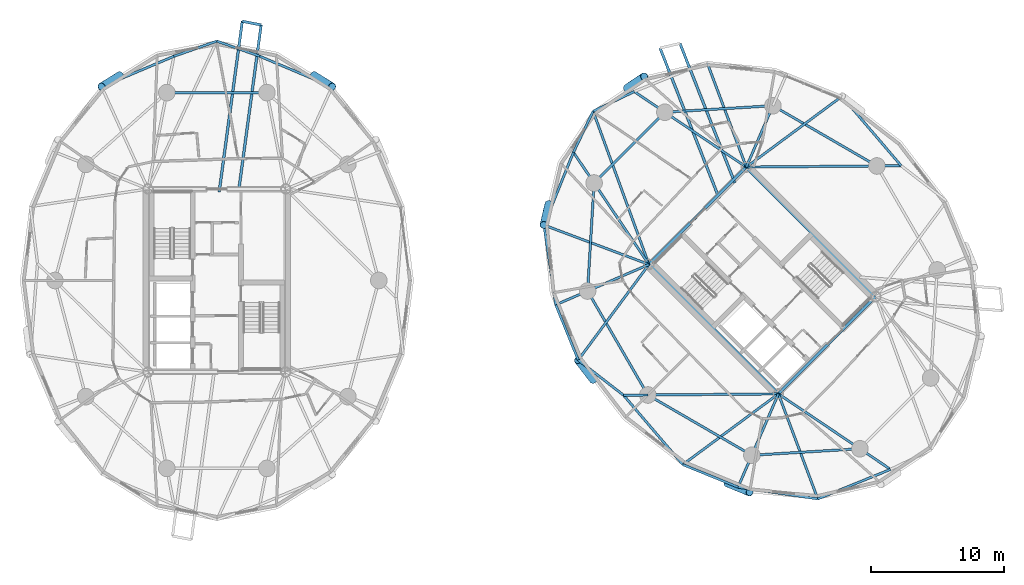
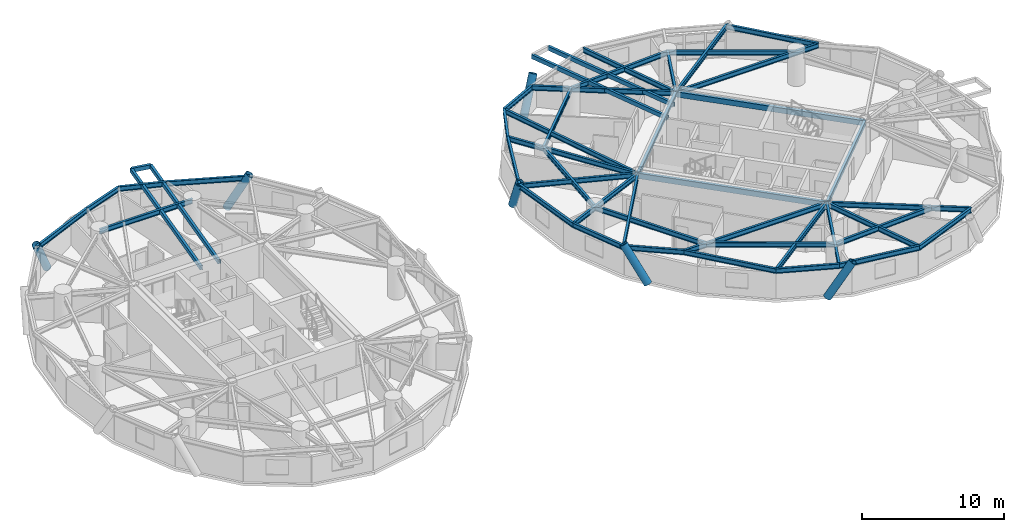
# One storey, part 6 of 18: 48 beams, 6 members.
"""IFC4 building model written with IfcOpenShell, lengths in metres."""

from ifc_helpers import new_model, si_unit, direction, frame, origin, origin_2d, place, context, subcontext, project, spatial, hollow_rectangle, hollow_circle, i_section, extrude, material, material_profile, profile_set, type_object, element, save


model = new_model("IFC4")

# Units and contexts
model_context = context("Model", 3, precision=1e-05, world=origin(), true_north=direction((0.0, 1.0)))
body_context = subcontext(model_context, "Body", "Model", "MODEL_VIEW")
ifc_project = project(units=[si_unit("LENGTHUNIT", "METRE"), si_unit("AREAUNIT", "SQUARE_METRE"), si_unit("VOLUMEUNIT", "CUBIC_METRE"), si_unit("PLANEANGLEUNIT", "RADIAN"), si_unit("MASSUNIT", "GRAM", prefix="KILO")], contexts=[model_context])

# Site, building, storey
site_placement = place(None, origin())
site = spatial("IfcSite", under=ifc_project, at=site_placement, CompositionType="ELEMENT")
building_placement = place(site_placement, origin())
building = spatial("IfcBuilding", under=site, at=building_placement, Name="Cununo Teusaquillo Station Towers", CompositionType="ELEMENT")
storey_placement = place(building_placement, frame((0.0, 0.0, 157.419921875)))
storey = spatial("IfcBuildingStorey", under=building, at=storey_placement, Name="L49", CompositionType="ELEMENT", Elevation=157.419921875)

# Beams
ifc_material_1 = material(Name="Steel EN 10025-2 S355J2", Category="steel")
ifc_material_profile_1 = material_profile(ifc_material_1, hollow_rectangle(XDim=0.199951171875, YDim=0.35009765625, WallThickness=0.013916015625, at=origin_2d()), Name="RHS 350x200x14")
ifc_profile_set_1 = profile_set([ifc_material_profile_1], Name="Steel EN 10025-2 S355J2")
beam_type_1 = type_object("IfcBeamType", Name="BM-BAL-CANT", PredefinedType="BEAM", material=ifc_profile_set_1)
beam_1_placement = place(storey_placement, frame((18.127685546875, 31.14990234375, 2.51513671875), z_axis=(0.134274846508, 0.990944128392, 0.0), x_axis=(-0.990944128392, 0.134274846508, 0.0)))
element("IfcBeam", 1, at=beam_1_placement, inside=storey, type_object=beam_type_1, Name="L49 Tower A Balcony Cantilever Bracket 1A", PredefinedType="BEAM", context=body_context, shape_type="SweptSolid", body=[
    extrude(hollow_rectangle(XDim=0.199951171875, YDim=0.35009765625, WallThickness=0.013916015625, at=origin_2d()), origin(), (0.0, 0.0, 1.0), 12.671142578125),
])
beam_2_placement = place(storey_placement, frame((16.674560546875, 31.14990234375, 2.51513671875), z_axis=(0.13427925042, 0.990943531644, 0.0), x_axis=(-0.990943531644, 0.13427925042, 0.0)))
element("IfcBeam", 2, at=beam_2_placement, inside=storey, type_object=beam_type_1, Name="L49 Tower A Balcony Cantilever Bracket 1B", PredefinedType="BEAM", context=body_context, shape_type="SweptSolid", body=[
    extrude(hollow_rectangle(XDim=0.199951171875, YDim=0.35009765625, WallThickness=0.013916015625, at=origin_2d()), origin(), (0.0, 0.0, 1.0), 12.947021484375),
])
beam_3_placement = place(storey_placement, frame((55.43115234375, 31.835693359375, 2.51513671875), z_axis=(-0.36614984416, 0.930555904619, 0.0), x_axis=(-0.930555904619, -0.36614984416, 0.0)))
element("IfcBeam", 3, at=beam_3_placement, inside=storey, type_object=beam_type_1, Name="L49 Tower B Balcony Cantilever Bracket 1A", PredefinedType="BEAM", context=body_context, shape_type="SweptSolid", body=[
    extrude(hollow_rectangle(XDim=0.199951171875, YDim=0.35009765625, WallThickness=0.013916015625, at=origin_2d()), origin(), (0.0, 0.0, 1.0), 11.26513671875),
])
beam_4_placement = place(storey_placement, frame((54.257568359375, 30.662109375, 2.51513671875), z_axis=(-0.366167663982, 0.93054889278, 0.0), x_axis=(-0.93054889278, -0.366167663982, 0.0)))
element("IfcBeam", 4, at=beam_4_placement, inside=storey, type_object=beam_type_1, Name="L49 Tower B Balcony Cantilever Bracket 1B", PredefinedType="BEAM", context=body_context, shape_type="SweptSolid", body=[
    extrude(hollow_rectangle(XDim=0.199951171875, YDim=0.35009765625, WallThickness=0.013916015625, at=origin_2d()), origin(), (0.0, 0.0, 1.0), 12.15087890625),
])
ifc_material_2 = material(Name="Steel EN 10025-2 S355J2", Category="steel")
ifc_material_profile_2 = material_profile(ifc_material_2, hollow_rectangle(XDim=0.25, YDim=0.449951171875, WallThickness=0.01611328125, at=origin_2d()), Name="RHS 450x250x16")
ifc_profile_set_2 = profile_set([ifc_material_profile_2], Name="Steel EN 10025-2 S355J2")
beam_type_2 = type_object("IfcBeamType", Name="BM-COUP-1", PredefinedType="USERDEFINED", material=ifc_profile_set_2)
for number, where, z_axis, x_axis, name in (
    (5, (58.70556640625, 15.975830078125, 2.465087890625), (-0.707106781187, 0.707106781187, 0.0), (-0.707106781187, -0.707106781187, 0.0), "L49 Tower B Core Beam 1"),
    (6, (66.024169921875, 23.29443359375, 2.465087890625), (-0.707106781187, 0.707106781187, 0.0), (-0.707106781187, -0.707106781187, 0.0), "L49 Tower B Core Beam 2"),
):
    element("IfcBeam", number, at=place(storey_placement, frame(where, z_axis=z_axis, x_axis=x_axis)), inside=storey, type_object=beam_type_2, Name=name, ObjectType="COUPLING BEAM", PredefinedType="USERDEFINED", context=body_context, shape_type="SweptSolid", body=[
        extrude(hollow_rectangle(XDim=0.25, YDim=0.449951171875, WallThickness=0.01611328125, at=origin_2d()), origin(), (0.0, 0.0, 1.0), 13.760009765625),
    ])
ifc_material_3 = material(Name="Steel ASTM A572 Grade 50", Category="steel")
ifc_material_profile_3 = material_profile(ifc_material_3, i_section(OverallWidth=0.180908203125, OverallDepth=0.4169921875, WebThickness=0.010986328125, FlangeThickness=0.018310546875, FilletRadius=0.012939453125, at=origin_2d()), Name="W16X57")
ifc_profile_set_3 = profile_set([ifc_material_profile_3], Name="Steel ASTM A572 Grade 50")
beam_type_3 = type_object("IfcBeamType", Name="BM-JOIST-1", PredefinedType="JOIST", material=ifc_profile_set_3)
beam_5_placement = place(storey_placement, frame((56.29443359375, 33.024169921875, 2.481689453125), z_axis=(0.803848430471, 0.594834179272, 0.0), x_axis=(-0.594834179272, 0.803848430471, 0.0)))
element("IfcBeam", 7, at=beam_5_placement, inside=storey, type_object=beam_type_3, Name="L49 Tower B Radial Spandrel Joist V01", PredefinedType="JOIST", context=body_context, shape_type="SweptSolid", body=[
    extrude(i_section(OverallWidth=0.180908203125, OverallDepth=0.4169921875, WebThickness=0.010986328125, FlangeThickness=0.018310546875, FilletRadius=0.012939453125, at=origin_2d()), origin(), (0.0, 0.0, 1.0), 8.936767578125),
])
beam_6_placement = place(storey_placement, frame((56.29443359375, 33.024169921875, 2.481689453125), z_axis=(-0.351348805076, 0.936244635323, 0.0), x_axis=(-0.936244635323, -0.351348805076, 0.0)))
element("IfcBeam", 8, at=beam_6_placement, inside=storey, type_object=beam_type_3, Name="L49 Tower B Radial Spandrel Joist V03", PredefinedType="JOIST", context=body_context, shape_type="SweptSolid", body=[
    extrude(i_section(OverallWidth=0.180908203125, OverallDepth=0.4169921875, WebThickness=0.010986328125, FlangeThickness=0.018310546875, FilletRadius=0.012939453125, at=origin_2d()), origin(), (0.0, 0.0, 1.0), 8.4287109375),
])
beam_7_placement = place(storey_placement, frame((48.975830078125, 25.70556640625, 2.481689453125), z_axis=(-0.34241791496, 0.939547748395, 0.0), x_axis=(-0.939547748395, -0.34241791496, 0.0)))
element("IfcBeam", 9, at=beam_7_placement, inside=storey, type_object=beam_type_3, Name="L49 Tower B Radial Spandrel Joist V05", PredefinedType="JOIST", context=body_context, shape_type="SweptSolid", body=[
    extrude(i_section(OverallWidth=0.180908203125, OverallDepth=0.4169921875, WebThickness=0.010986328125, FlangeThickness=0.018310546875, FilletRadius=0.012939453125, at=origin_2d()), origin(), (0.0, 0.0, 1.0), 12.25634765625),
])
beam_8_placement = place(storey_placement, frame((48.975830078125, 25.70556640625, 2.481689453125), z_axis=(-0.936244635323, 0.351348805076, 0.0), x_axis=(-0.351348805076, -0.936244635323, 0.0)))
element("IfcBeam", 10, at=beam_8_placement, inside=storey, type_object=beam_type_3, Name="L49 Tower B Radial Spandrel Joist V07", PredefinedType="JOIST", context=body_context, shape_type="SweptSolid", body=[
    extrude(i_section(OverallWidth=0.180908203125, OverallDepth=0.4169921875, WebThickness=0.010986328125, FlangeThickness=0.018310546875, FilletRadius=0.012939453125, at=origin_2d()), origin(), (0.0, 0.0, 1.0), 8.4287109375),
])
for number, where, z_axis, x_axis, name in (
    (11, (48.975830078125, 25.70556640625, 2.481689453125), (-0.594834179272, -0.803848430471, 0.0), (0.803848430471, -0.594834179272, 0.0), "L49 Tower B Radial Spandrel Joist V09"),
    (12, (58.70556640625, 15.975830078125, 2.481689453125), (-0.803848430471, -0.594834179272, 0.0), (0.594834179272, -0.803848430471, 0.0), "L49 Tower B Radial Spandrel Joist V11"),
):
    element("IfcBeam", number, at=place(storey_placement, frame(where, z_axis=z_axis, x_axis=x_axis)), inside=storey, type_object=beam_type_3, Name=name, PredefinedType="JOIST", context=body_context, shape_type="SweptSolid", body=[
        extrude(i_section(OverallWidth=0.180908203125, OverallDepth=0.4169921875, WebThickness=0.010986328125, FlangeThickness=0.018310546875, FilletRadius=0.012939453125, at=origin_2d()), origin(), (0.0, 0.0, 1.0), 8.936767578125),
    ])
beam_9_placement = place(storey_placement, frame((58.70556640625, 15.975830078125, 2.481689453125), z_axis=(0.351348805076, -0.936244635323, 0.0), x_axis=(0.936244635323, 0.351348805076, 0.0)))
element("IfcBeam", 13, at=beam_9_placement, inside=storey, type_object=beam_type_3, Name="L49 Tower B Radial Spandrel Joist V13", PredefinedType="JOIST", context=body_context, shape_type="SweptSolid", body=[
    extrude(i_section(OverallWidth=0.180908203125, OverallDepth=0.4169921875, WebThickness=0.010986328125, FlangeThickness=0.018310546875, FilletRadius=0.012939453125, at=origin_2d()), origin(), (0.0, 0.0, 1.0), 8.4287109375),
])
ifc_material_4 = material(Name="Steel ASTM A572 Grade 50", Category="steel")
ifc_material_profile_4 = material_profile(ifc_material_4, i_section(OverallWidth=0.2041015625, OverallDepth=0.35009765625, WebThickness=0.008544921875, FlangeThickness=0.01513671875, FilletRadius=0.011962890625, at=origin_2d()), Name="W14X48")
ifc_profile_set_4 = profile_set([ifc_material_profile_4], Name="Steel ASTM A572 Grade 50")
beam_type_4 = type_object("IfcBeamType", Name="BM-LINTEL-1", PredefinedType="LINTEL", material=ifc_profile_set_4)
for number, where, z_axis, x_axis, name in (
    (14, (58.70556640625, 15.975830078125, 2.51513671875), (0.707106781187, 0.707106781187, 0.0), (-0.707106781187, 0.707106781187, 0.0), "L49 Tower B Core Beam 3"),
    (15, (48.975830078125, 25.70556640625, 2.51513671875), (0.707106781187, 0.707106781187, 0.0), (-0.707106781187, 0.707106781187, 0.0), "L49 Tower B Core Beam 4"),
):
    element("IfcBeam", number, at=place(storey_placement, frame(where, z_axis=z_axis, x_axis=x_axis)), inside=storey, type_object=beam_type_4, Name=name, PredefinedType="LINTEL", context=body_context, shape_type="SweptSolid", body=[
        extrude(i_section(OverallWidth=0.2041015625, OverallDepth=0.35009765625, WebThickness=0.008544921875, FlangeThickness=0.01513671875, FilletRadius=0.011962890625, at=origin_2d()), origin(), (0.0, 0.0, 1.0), 10.35009765625),
    ])
ifc_material_5 = material(Name="Steel ASTM A572 Grade 50", Category="steel")
ifc_material_profile_5 = material_profile(ifc_material_5, i_section(OverallWidth=0.180908203125, OverallDepth=0.4169921875, WebThickness=0.010986328125, FlangeThickness=0.018310546875, FilletRadius=0.012939453125, at=origin_2d()), Name="W16X57")
ifc_profile_set_5 = profile_set([ifc_material_profile_5], Name="Steel ASTM A572 Grade 50")
beam_type_5 = type_object("IfcBeamType", Name="BM-RAD-G2", PredefinedType="BEAM", material=ifc_profile_set_5)
beam_10_placement = place(storey_placement, frame((56.29443359375, 33.024169921875, 2.481689453125), z_axis=(0.999964454788, 0.008431438866, 0.0), x_axis=(-0.008431438866, 0.999964454788, 0.0)))
element("IfcBeam", 16, at=beam_10_placement, inside=storey, type_object=beam_type_5, Name="L49 Tower B Continuous Overhanging Radial Girder 01", PredefinedType="BEAM", context=body_context, shape_type="SweptSolid", body=[
    extrude(i_section(OverallWidth=0.180908203125, OverallDepth=0.4169921875, WebThickness=0.010986328125, FlangeThickness=0.018310546875, FilletRadius=0.012939453125, at=origin_2d()), origin(), (0.0, 0.0, 1.0), 11.640380859375),
])
beam_11_placement = place(storey_placement, frame((56.29443359375, 33.024169921875, 2.481689453125), z_axis=(0.397346986387, 0.917668443616, 0.0), x_axis=(-0.917668443616, 0.397346986387, 0.0)))
element("IfcBeam", 17, at=beam_11_placement, inside=storey, type_object=beam_type_5, Name="L49 Tower B Radial Girder 02A", PredefinedType="BEAM", context=body_context, shape_type="SweptSolid", body=[
    extrude(i_section(OverallWidth=0.180908203125, OverallDepth=0.4169921875, WebThickness=0.010986328125, FlangeThickness=0.018310546875, FilletRadius=0.012939453125, at=origin_2d()), origin(), (0.0, 0.0, 1.0), 5.02490234375),
])
for number, where, z_axis, x_axis, name in (
    (18, (56.29443359375, 33.024169921875, 2.481689453125), (-0.829456923219, 0.558570687133, 0.0), (-0.558570687133, -0.829456923219, 0.0), "L49 Tower B Continuous Overhanging Radial Girder 03"),
    (19, (48.975830078125, 25.70556640625, 2.481689453125), (-0.558570687133, 0.829456923219, 0.0), (-0.829456923219, -0.558570687133, 0.0), "L49 Tower B Continuous Overhanging Radial Girder 04"),
):
    element("IfcBeam", number, at=place(storey_placement, frame(where, z_axis=z_axis, x_axis=x_axis)), inside=storey, type_object=beam_type_5, Name=name, PredefinedType="BEAM", context=body_context, shape_type="SweptSolid", body=[
        extrude(i_section(OverallWidth=0.180908203125, OverallDepth=0.4169921875, WebThickness=0.010986328125, FlangeThickness=0.018310546875, FilletRadius=0.012939453125, at=origin_2d()), origin(), (0.0, 0.0, 1.0), 10.1591796875),
    ])
beam_12_placement = place(storey_placement, frame((48.975830078125, 25.70556640625, 2.481689453125), z_axis=(-0.917655964072, -0.397375806515, 0.0), x_axis=(0.397375806515, -0.917655964072, 0.0)))
element("IfcBeam", 20, at=beam_12_placement, inside=storey, type_object=beam_type_5, Name="L49 Tower B Continuous Overhanging Radial Girder 05", PredefinedType="BEAM", context=body_context, shape_type="SweptSolid", body=[
    extrude(i_section(OverallWidth=0.180908203125, OverallDepth=0.4169921875, WebThickness=0.010986328125, FlangeThickness=0.018310546875, FilletRadius=0.012939453125, at=origin_2d()), origin(), (0.0, 0.0, 1.0), 7.6318359375),
])
beam_13_placement = place(storey_placement, frame((58.70556640625, 15.975830078125, 2.481689453125), z_axis=(-0.999964431382, -0.008434214327, 0.0), x_axis=(0.008434214327, -0.999964431382, 0.0)))
element("IfcBeam", 21, at=beam_13_placement, inside=storey, type_object=beam_type_5, Name="L49 Tower B Radial Girder 06A", PredefinedType="BEAM", context=body_context, shape_type="SweptSolid", body=[
    extrude(i_section(OverallWidth=0.180908203125, OverallDepth=0.4169921875, WebThickness=0.010986328125, FlangeThickness=0.018310546875, FilletRadius=0.012939453125, at=origin_2d()), origin(), (0.0, 0.0, 1.0), 9.812744140625),
])
beam_14_placement = place(storey_placement, frame((48.89306640625, 15.89306640625, 2.481689453125), z_axis=(-0.999964580337, -0.008416535546, 0.0), x_axis=(0.008416535546, -0.999964580337, 0.0)))
element("IfcBeam", 22, at=beam_14_placement, inside=storey, type_object=beam_type_5, Name="L49 Tower B Perimeter Overhang Girder 06B", PredefinedType="BEAM", context=body_context, shape_type="SweptSolid", body=[
    extrude(i_section(OverallWidth=0.180908203125, OverallDepth=0.4169921875, WebThickness=0.010986328125, FlangeThickness=0.018310546875, FilletRadius=0.012939453125, at=origin_2d()), origin(), (0.0, 0.0, 1.0), 1.827392578125),
])
beam_15_placement = place(storey_placement, frame((58.70556640625, 15.975830078125, 2.481689453125), z_axis=(-0.397375806515, -0.917655964072, 0.0), x_axis=(0.917655964072, -0.397375806515, 0.0)))
element("IfcBeam", 23, at=beam_15_placement, inside=storey, type_object=beam_type_5, Name="L49 Tower B Continuous Overhanging Radial Girder 07", PredefinedType="BEAM", context=body_context, shape_type="SweptSolid", body=[
    extrude(i_section(OverallWidth=0.180908203125, OverallDepth=0.4169921875, WebThickness=0.010986328125, FlangeThickness=0.018310546875, FilletRadius=0.012939453125, at=origin_2d()), origin(), (0.0, 0.0, 1.0), 7.6318359375),
])
beam_16_placement = place(storey_placement, frame((58.70556640625, 15.975830078125, 2.481689453125), z_axis=(0.829456923219, -0.558570687133, 0.0), x_axis=(0.558570687133, 0.829456923219, 0.0)))
element("IfcBeam", 24, at=beam_16_placement, inside=storey, type_object=beam_type_5, Name="L49 Tower B Continuous Overhanging Radial Girder 08", PredefinedType="BEAM", context=body_context, shape_type="SweptSolid", body=[
    extrude(i_section(OverallWidth=0.180908203125, OverallDepth=0.4169921875, WebThickness=0.010986328125, FlangeThickness=0.018310546875, FilletRadius=0.012939453125, at=origin_2d()), origin(), (0.0, 0.0, 1.0), 10.1591796875),
])
ifc_material_6 = material(Name="Steel ASTM A572 Grade 50", Category="steel")
ifc_material_profile_6 = material_profile(ifc_material_6, i_section(OverallWidth=0.180908203125, OverallDepth=0.4169921875, WebThickness=0.010986328125, FlangeThickness=0.018310546875, FilletRadius=0.012939453125, at=origin_2d()), Name="W16X57")
ifc_profile_set_6 = profile_set([ifc_material_profile_6], Name="Steel ASTM A572 Grade 50")
beam_type_6 = type_object("IfcBeamType", Name="BM-RING-Z3", PredefinedType="SPANDREL", material=ifc_profile_set_6)
beam_17_placement = place(storey_placement, frame((20.261474609375, 38.623291015625, 2.481689453125), z_axis=(-1.0, 0.0, 0.0), x_axis=(0.0, -1.0, 0.0)))
element("IfcBeam", 25, at=beam_17_placement, inside=storey, type_object=beam_type_6, Name="L49 Tower A Structural Column Ring Girder 03", PredefinedType="SPANDREL", context=body_context, shape_type="SweptSolid", body=[
    extrude(i_section(OverallWidth=0.180908203125, OverallDepth=0.4169921875, WebThickness=0.010986328125, FlangeThickness=0.018310546875, FilletRadius=0.012939453125, at=origin_2d()), origin(), (0.0, 0.0, 1.0), 7.52294921875),
])
beam_18_placement = place(storey_placement, frame((25.160888671875, 39.05419921875, 2.481689453125), z_axis=(-0.921042081118, 0.38946307246, 0.0), x_axis=(-0.38946307246, -0.921042081118, 0.0)))
element("IfcBeam", 26, at=beam_18_placement, inside=storey, type_object=beam_type_6, Name="L49 Tower A Spandrel Ring Beam 04", PredefinedType="SPANDREL", context=body_context, shape_type="SweptSolid", body=[
    extrude(i_section(OverallWidth=0.180908203125, OverallDepth=0.4169921875, WebThickness=0.010986328125, FlangeThickness=0.018310546875, FilletRadius=0.012939453125, at=origin_2d()), origin(), (0.0, 0.0, 1.0), 5.8974609375),
])
for number, where, z_axis, x_axis, name in (
    (27, (19.72900390625, 41.35107421875, 2.481689453125), (-0.943057449198, 0.332629895698, 0.0), (-0.332629895698, -0.943057449198, 0.0), "L49 Tower A Spandrel Ring Beam 05"),
    (28, (16.5, 42.489990234375, 2.481689453125), (-0.943057449198, -0.332629895698, 0.0), (0.332629895698, -0.943057449198, 0.0), "L49 Tower A Spandrel Ring Beam 06"),
):
    element("IfcBeam", number, at=place(storey_placement, frame(where, z_axis=z_axis, x_axis=x_axis)), inside=storey, type_object=beam_type_6, Name=name, PredefinedType="SPANDREL", context=body_context, shape_type="SweptSolid", body=[
        extrude(i_section(OverallWidth=0.180908203125, OverallDepth=0.4169921875, WebThickness=0.010986328125, FlangeThickness=0.018310546875, FilletRadius=0.012939453125, at=origin_2d()), origin(), (0.0, 0.0, 1.0), 3.424072265625),
    ])
beam_19_placement = place(storey_placement, frame((13.27099609375, 41.35107421875, 2.481689453125), z_axis=(-0.921042081118, -0.38946307246, 0.0), x_axis=(0.38946307246, -0.921042081118, 0.0)))
element("IfcBeam", 29, at=beam_19_placement, inside=storey, type_object=beam_type_6, Name="L49 Tower A Spandrel Ring Beam 07", PredefinedType="SPANDREL", context=body_context, shape_type="SweptSolid", body=[
    extrude(i_section(OverallWidth=0.180908203125, OverallDepth=0.4169921875, WebThickness=0.010986328125, FlangeThickness=0.018310546875, FilletRadius=0.012939453125, at=origin_2d()), origin(), (0.0, 0.0, 1.0), 5.8974609375),
])
beam_20_placement = place(storey_placement, frame((66.10693359375, 33.10693359375, 2.481689453125), z_axis=(-0.865267103202, 0.501311121078, 0.0), x_axis=(-0.501311121078, -0.865267103202, 0.0)))
element("IfcBeam", 30, at=beam_20_placement, inside=storey, type_object=beam_type_6, Name="L49 Tower B Structural Column Ring Girder 01", PredefinedType="SPANDREL", context=body_context, shape_type="SweptSolid", body=[
    extrude(i_section(OverallWidth=0.180908203125, OverallDepth=0.4169921875, WebThickness=0.010986328125, FlangeThickness=0.018310546875, FilletRadius=0.012939453125, at=origin_2d()), origin(), (0.0, 0.0, 1.0), 9.032958984375),
])
beam_21_placement = place(storey_placement, frame((58.291015625, 37.63525390625, 2.481689453125), z_axis=(-0.998190567048, -0.06012979176, 0.0), x_axis=(0.06012979176, -0.998190567048, 0.0)))
element("IfcBeam", 31, at=beam_21_placement, inside=storey, type_object=beam_type_6, Name="L49 Tower B Structural Column Ring Girder 02", PredefinedType="SPANDREL", context=body_context, shape_type="SweptSolid", body=[
    extrude(i_section(OverallWidth=0.180908203125, OverallDepth=0.4169921875, WebThickness=0.010986328125, FlangeThickness=0.018310546875, FilletRadius=0.012939453125, at=origin_2d()), origin(), (0.0, 0.0, 1.0), 8.132568359375),
])
beam_22_placement = place(storey_placement, frame((50.173095703125, 37.146240234375, 2.481689453125), z_axis=(-0.707106781187, -0.707106781187, 0.0), x_axis=(0.707106781187, -0.707106781187, 0.0)))
element("IfcBeam", 32, at=beam_22_placement, inside=storey, type_object=beam_type_6, Name="L49 Tower B Structural Column Ring Girder 03", PredefinedType="SPANDREL", context=body_context, shape_type="SweptSolid", body=[
    extrude(i_section(OverallWidth=0.180908203125, OverallDepth=0.4169921875, WebThickness=0.010986328125, FlangeThickness=0.018310546875, FilletRadius=0.012939453125, at=origin_2d()), origin(), (0.0, 0.0, 1.0), 7.522705078125),
])
beam_23_placement = place(storey_placement, frame((44.853759765625, 31.826904296875, 2.481689453125), z_axis=(-0.06012979176, -0.998190567048, 0.0), x_axis=(0.998190567048, -0.06012979176, 0.0)))
element("IfcBeam", 33, at=beam_23_placement, inside=storey, type_object=beam_type_6, Name="L49 Tower B Structural Column Ring Girder 04", PredefinedType="SPANDREL", context=body_context, shape_type="SweptSolid", body=[
    extrude(i_section(OverallWidth=0.180908203125, OverallDepth=0.4169921875, WebThickness=0.010986328125, FlangeThickness=0.018310546875, FilletRadius=0.012939453125, at=origin_2d()), origin(), (0.0, 0.0, 1.0), 8.132568359375),
])
for number, where, z_axis, x_axis, name in (
    (34, (44.36474609375, 23.708984375, 2.481689453125), (0.501311121078, -0.865267103202, 0.0), (0.865267103202, 0.501311121078, 0.0), "L49 Tower B Structural Column Ring Girder 05"),
    (35, (48.89306640625, 15.89306640625, 2.481689453125), (0.865267103202, -0.501311121078, 0.0), (0.501311121078, 0.865267103202, 0.0), "L49 Tower B Structural Column Ring Girder 06"),
):
    element("IfcBeam", number, at=place(storey_placement, frame(where, z_axis=z_axis, x_axis=x_axis)), inside=storey, type_object=beam_type_6, Name=name, PredefinedType="SPANDREL", context=body_context, shape_type="SweptSolid", body=[
        extrude(i_section(OverallWidth=0.180908203125, OverallDepth=0.4169921875, WebThickness=0.010986328125, FlangeThickness=0.018310546875, FilletRadius=0.012939453125, at=origin_2d()), origin(), (0.0, 0.0, 1.0), 9.032958984375),
    ])
beam_24_placement = place(storey_placement, frame((56.708984375, 11.36474609375, 2.481689453125), z_axis=(0.998190567048, 0.06012979176, 0.0), x_axis=(-0.06012979176, 0.998190567048, 0.0)))
element("IfcBeam", 36, at=beam_24_placement, inside=storey, type_object=beam_type_6, Name="L49 Tower B Structural Column Ring Girder 07", PredefinedType="SPANDREL", context=body_context, shape_type="SweptSolid", body=[
    extrude(i_section(OverallWidth=0.180908203125, OverallDepth=0.4169921875, WebThickness=0.010986328125, FlangeThickness=0.018310546875, FilletRadius=0.012939453125, at=origin_2d()), origin(), (0.0, 0.0, 1.0), 8.132568359375),
])
beam_25_placement = place(storey_placement, frame((67.934326171875, 33.122314453125, 2.481689453125), z_axis=(-0.64941898982, 0.760430782952, 0.0), x_axis=(-0.760430782952, -0.64941898982, 0.0)))
element("IfcBeam", 37, at=beam_25_placement, inside=storey, type_object=beam_type_6, Name="L49 Tower B Spandrel Ring Beam 01", PredefinedType="SPANDREL", context=body_context, shape_type="SweptSolid", body=[
    extrude(i_section(OverallWidth=0.180908203125, OverallDepth=0.4169921875, WebThickness=0.010986328125, FlangeThickness=0.018310546875, FilletRadius=0.012939453125, at=origin_2d()), origin(), (0.0, 0.0, 1.0), 6.861572265625),
])
for number, where, z_axis, x_axis, name in (
    (38, (47.867919921875, 38.69873046875, 2.481689453125), (-0.902077503555, -0.431574069634, 0.0), (0.431574069634, -0.902077503555, 0.0), "L49 Tower B Spandrel Ring Beam 05"),
    (39, (44.779052734375, 37.220947265625, 2.481689453125), (-0.431574069634, -0.902077503555, 0.0), (0.902077503555, -0.431574069634, 0.0), "L49 Tower B Spandrel Ring Beam 06"),
):
    element("IfcBeam", number, at=place(storey_placement, frame(where, z_axis=z_axis, x_axis=x_axis)), inside=storey, type_object=beam_type_6, Name=name, PredefinedType="SPANDREL", context=body_context, shape_type="SweptSolid", body=[
        extrude(i_section(OverallWidth=0.180908203125, OverallDepth=0.4169921875, WebThickness=0.010986328125, FlangeThickness=0.018310546875, FilletRadius=0.012939453125, at=origin_2d()), origin(), (0.0, 0.0, 1.0), 3.424072265625),
    ])
beam_26_placement = place(storey_placement, frame((43.30126953125, 34.132080078125, 2.481689453125), z_axis=(-0.375882869104, -0.926667183359, 0.0), x_axis=(0.926667183359, -0.375882869104, 0.0)))
element("IfcBeam", 40, at=beam_26_placement, inside=storey, type_object=beam_type_6, Name="L49 Tower B Spandrel Ring Beam 07", PredefinedType="SPANDREL", context=body_context, shape_type="SweptSolid", body=[
    extrude(i_section(OverallWidth=0.180908203125, OverallDepth=0.4169921875, WebThickness=0.010986328125, FlangeThickness=0.018310546875, FilletRadius=0.012939453125, at=origin_2d()), origin(), (0.0, 0.0, 1.0), 5.8974609375),
])
beam_27_placement = place(storey_placement, frame((41.08447265625, 28.6669921875, 2.481689453125), z_axis=(0.146535519435, -0.989205409176, 0.0), x_axis=(0.989205409176, 0.146535519435, 0.0)))
element("IfcBeam", 41, at=beam_27_placement, inside=storey, type_object=beam_type_6, Name="L49 Tower B Spandrel Ring Beam 08", PredefinedType="SPANDREL", context=body_context, shape_type="SweptSolid", body=[
    extrude(i_section(OverallWidth=0.180908203125, OverallDepth=0.4169921875, WebThickness=0.010986328125, FlangeThickness=0.018310546875, FilletRadius=0.012939453125, at=origin_2d()), origin(), (0.0, 0.0, 1.0), 6.0595703125),
])
beam_28_placement = place(storey_placement, frame((41.972412109375, 22.6728515625, 2.481689453125), z_axis=(0.376588942192, -0.926380466449, 0.0), x_axis=(0.926380466449, 0.376588942192, 0.0)))
element("IfcBeam", 42, at=beam_28_placement, inside=storey, type_object=beam_type_6, Name="L49 Tower B Spandrel Ring Beam 09", PredefinedType="SPANDREL", context=body_context, shape_type="SweptSolid", body=[
    extrude(i_section(OverallWidth=0.180908203125, OverallDepth=0.4169921875, WebThickness=0.010986328125, FlangeThickness=0.018310546875, FilletRadius=0.012939453125, at=origin_2d()), origin(), (0.0, 0.0, 1.0), 4.48095703125),
])
beam_29_placement = place(storey_placement, frame((43.659912109375, 18.521728515625, 2.481689453125), z_axis=(0.789900716386, -0.613234749711, 0.0), x_axis=(0.613234749711, 0.789900716386, 0.0)))
element("IfcBeam", 43, at=beam_29_placement, inside=storey, type_object=beam_type_6, Name="L49 Tower B Spandrel Ring Beam 10", PredefinedType="SPANDREL", context=body_context, shape_type="SweptSolid", body=[
    extrude(i_section(OverallWidth=0.180908203125, OverallDepth=0.4169921875, WebThickness=0.010986328125, FlangeThickness=0.018310546875, FilletRadius=0.012939453125, at=origin_2d()), origin(), (0.0, 0.0, 1.0), 4.3115234375),
])
beam_30_placement = place(storey_placement, frame((47.065673828125, 15.877685546875, 2.481689453125), z_axis=(0.64941898982, -0.760430782952, 0.0), x_axis=(0.760430782952, 0.64941898982, 0.0)))
element("IfcBeam", 44, at=beam_30_placement, inside=storey, type_object=beam_type_6, Name="L49 Tower B Spandrel Ring Beam 11", PredefinedType="SPANDREL", context=body_context, shape_type="SweptSolid", body=[
    extrude(i_section(OverallWidth=0.180908203125, OverallDepth=0.4169921875, WebThickness=0.010986328125, FlangeThickness=0.018310546875, FilletRadius=0.012939453125, at=origin_2d()), origin(), (0.0, 0.0, 1.0), 6.861572265625),
])
beam_31_placement = place(storey_placement, frame((51.521728515625, 10.659912109375, 2.481689453125), z_axis=(0.926380466449, -0.376588942192, 0.0), x_axis=(0.376588942192, 0.926380466449, 0.0)))
element("IfcBeam", 45, at=beam_31_placement, inside=storey, type_object=beam_type_6, Name="L49 Tower B Spandrel Ring Beam 12", PredefinedType="SPANDREL", context=body_context, shape_type="SweptSolid", body=[
    extrude(i_section(OverallWidth=0.180908203125, OverallDepth=0.4169921875, WebThickness=0.010986328125, FlangeThickness=0.018310546875, FilletRadius=0.012939453125, at=origin_2d()), origin(), (0.0, 0.0, 1.0), 4.48095703125),
])
beam_32_placement = place(storey_placement, frame((55.6728515625, 8.972412109375, 2.481689453125), z_axis=(0.989205409176, -0.146535519435, 0.0), x_axis=(0.146535519435, 0.989205409176, 0.0)))
element("IfcBeam", 46, at=beam_32_placement, inside=storey, type_object=beam_type_6, Name="L49 Tower B Spandrel Ring Beam 13", PredefinedType="SPANDREL", context=body_context, shape_type="SweptSolid", body=[
    extrude(i_section(OverallWidth=0.180908203125, OverallDepth=0.4169921875, WebThickness=0.010986328125, FlangeThickness=0.018310546875, FilletRadius=0.012939453125, at=origin_2d()), origin(), (0.0, 0.0, 1.0), 6.0595703125),
])
beam_33_placement = place(storey_placement, frame((61.6669921875, 8.08447265625, 2.481689453125), z_axis=(0.926667183359, 0.375882869104, 0.0), x_axis=(-0.375882869104, 0.926667183359, 0.0)))
element("IfcBeam", 47, at=beam_33_placement, inside=storey, type_object=beam_type_6, Name="L49 Tower B Spandrel Ring Beam 14", PredefinedType="SPANDREL", context=body_context, shape_type="SweptSolid", body=[
    extrude(i_section(OverallWidth=0.180908203125, OverallDepth=0.4169921875, WebThickness=0.010986328125, FlangeThickness=0.018310546875, FilletRadius=0.012939453125, at=origin_2d()), origin(), (0.0, 0.0, 1.0), 5.8974609375),
])
ifc_material_7 = material(Name="Steel EN 10025-2 S355J2", Category="steel")
ifc_material_profile_7 = material_profile(ifc_material_7, hollow_rectangle(XDim=0.199951171875, YDim=0.35009765625, WallThickness=0.013916015625, at=origin_2d()), Name="RHS 350x200x14")
ifc_profile_set_7 = profile_set([ifc_material_profile_7], Name="Steel EN 10025-2 S355J2")
beam_type_7 = type_object("IfcBeamType", Name="BM-STAIR-TRIM", PredefinedType="BEAM", material=ifc_profile_set_7)
beam_34_placement = place(storey_placement, frame((19.8291015625, 43.706298828125, 2.525146484375), z_axis=(-0.981861262275, 0.189600795474, 0.0), x_axis=(-0.189600795474, -0.981861262275, 0.0)))
element("IfcBeam", 48, at=beam_34_placement, inside=storey, type_object=beam_type_7, Name="L49 Tower A Balcony Edge Trimmer Beam 1", PredefinedType="BEAM", context=body_context, shape_type="SweptSolid", body=[
    extrude(hollow_rectangle(XDim=0.199951171875, YDim=0.35009765625, WallThickness=0.013916015625, at=origin_2d()), origin(), (0.0, 0.0, 1.0), 1.442138671875),
])

# Members
ifc_material_8 = material(Name="Steel EN 10025-2 S355J2", Category="steel")
ifc_material_profile_8 = material_profile(ifc_material_8, hollow_circle(Radius=0.304931640625, WallThickness=0.02001953125, at=origin_2d()), Name="CHS 610x20")
ifc_profile_set_8 = profile_set([ifc_material_profile_8], Name="Steel EN 10025-2 S355J2")
member_type = type_object("IfcMemberType", Name="MBR-DIAG-Z3", PredefinedType="BRACE", material=ifc_profile_set_8)
for number, where, z_axis, x_axis, name in (
    (49, (23.791748046875, 39.906005859375, -0.139892578125), (0.411546762261, -0.256042555907, 0.874683641117), (0.528255801217, 0.849085277508, 0.0), "L49 Tower A Folded-Zigzag Diagrid Tube C03"),
    (50, (9.208251953125, 39.906005859375, -0.139892578125), (-0.411546762261, -0.256042555907, 0.874683641117), (0.528255801217, -0.849085277508, 0.0), "L49 Tower A Folded-Zigzag Diagrid Tube C06"),
):
    element("IfcMember", number, at=place(storey_placement, frame(where, z_axis=z_axis, x_axis=x_axis)), inside=storey, type_object=member_type, Name=name, PredefinedType="BRACE", context=body_context, shape_type="SweptSolid", body=[
        extrude(hollow_circle(Radius=0.304931640625, WallThickness=0.02001953125, at=origin_2d()), origin(), (0.0, 0.0, 1.0), 3.326904296875),
    ])
member_1_placement = place(storey_placement, frame((47.3408203125, 38.952392578125, -0.139892578125), z_axis=(0.388691571721, 0.262733570973, 0.883113771129), x_axis=(-0.560009784908, 0.828485993127, 0.0)))
element("IfcMember", 51, at=member_1_placement, inside=storey, type_object=member_type, Name="L49 Tower B Folded-Zigzag Diagrid Tube C04", PredefinedType="BRACE", context=body_context, shape_type="SweptSolid", body=[
    extrude(hollow_circle(Radius=0.304931640625, WallThickness=0.02001953125, at=origin_2d()), origin(), (0.0, 0.0, 1.0), 3.295166015625),
])
member_2_placement = place(storey_placement, frame((41.4501953125, 30.237548828125, -0.139892578125), z_axis=(-0.109930319982, -0.472083944222, 0.874672552648), x_axis=(0.973942735604, -0.226794064657, 0.0)))
element("IfcMember", 52, at=member_2_placement, inside=storey, type_object=member_type, Name="L49 Tower B Folded-Zigzag Diagrid Tube C06", PredefinedType="BRACE", context=body_context, shape_type="SweptSolid", body=[
    extrude(hollow_circle(Radius=0.304931640625, WallThickness=0.02001953125, at=origin_2d()), origin(), (0.0, 0.0, 1.0), 3.326904296875),
])
member_3_placement = place(storey_placement, frame((44.800048828125, 17.04150390625, -0.139892578125), z_axis=(-0.329698822636, 0.42804367487, 0.841473290578), x_axis=(-0.79223522678, -0.610215818747, 0.0)))
element("IfcMember", 53, at=member_3_placement, inside=storey, type_object=member_type, Name="L49 Tower B Folded-Zigzag Diagrid Tube C09", PredefinedType="BRACE", context=body_context, shape_type="SweptSolid", body=[
    extrude(hollow_circle(Radius=0.304931640625, WallThickness=0.02001953125, at=origin_2d()), origin(), (0.0, 0.0, 1.0), 3.4580078125),
])
member_4_placement = place(storey_placement, frame((54.872314453125, 9.2822265625, -0.139892578125), z_axis=(0.488817947752, -0.200926042636, 0.848932117042), x_axis=(0.380180358463, 0.924912371546, 0.0)))
element("IfcMember", 54, at=member_4_placement, inside=storey, type_object=member_type, Name="L49 Tower B Folded-Zigzag Diagrid Tube C11", PredefinedType="BRACE", context=body_context, shape_type="SweptSolid", body=[
    extrude(hollow_circle(Radius=0.304931640625, WallThickness=0.02001953125, at=origin_2d()), origin(), (0.0, 0.0, 1.0), 3.427734375),
])

save(model, "model.ifc")
